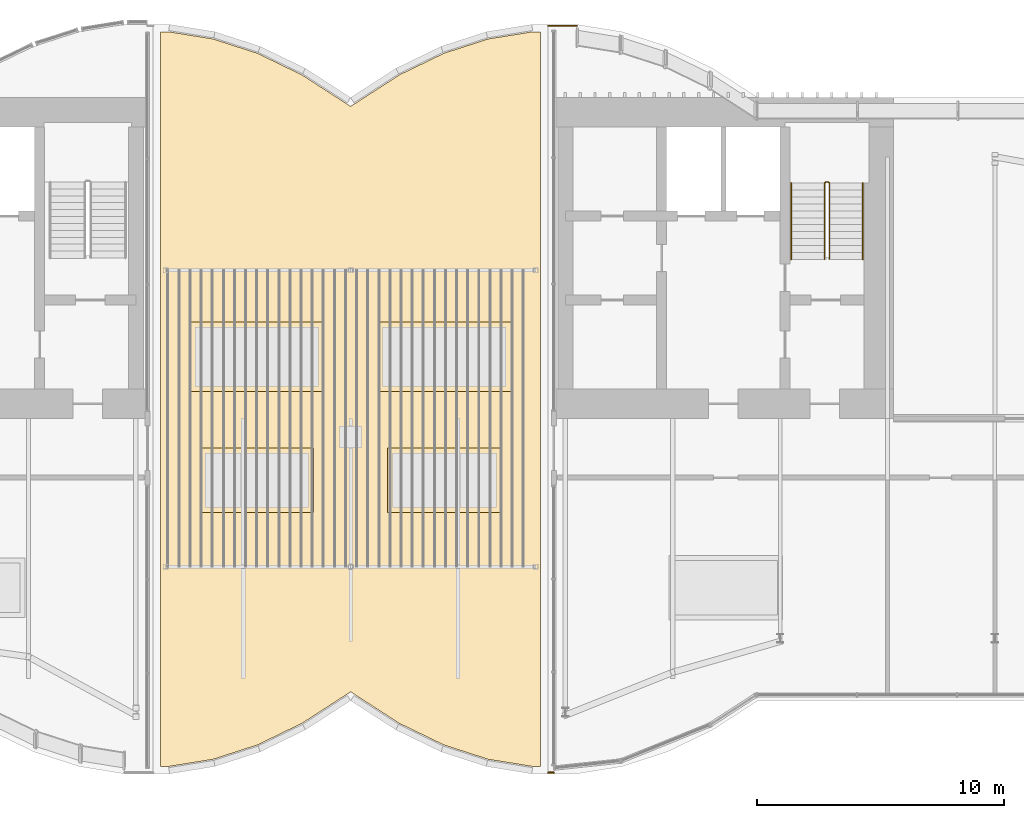
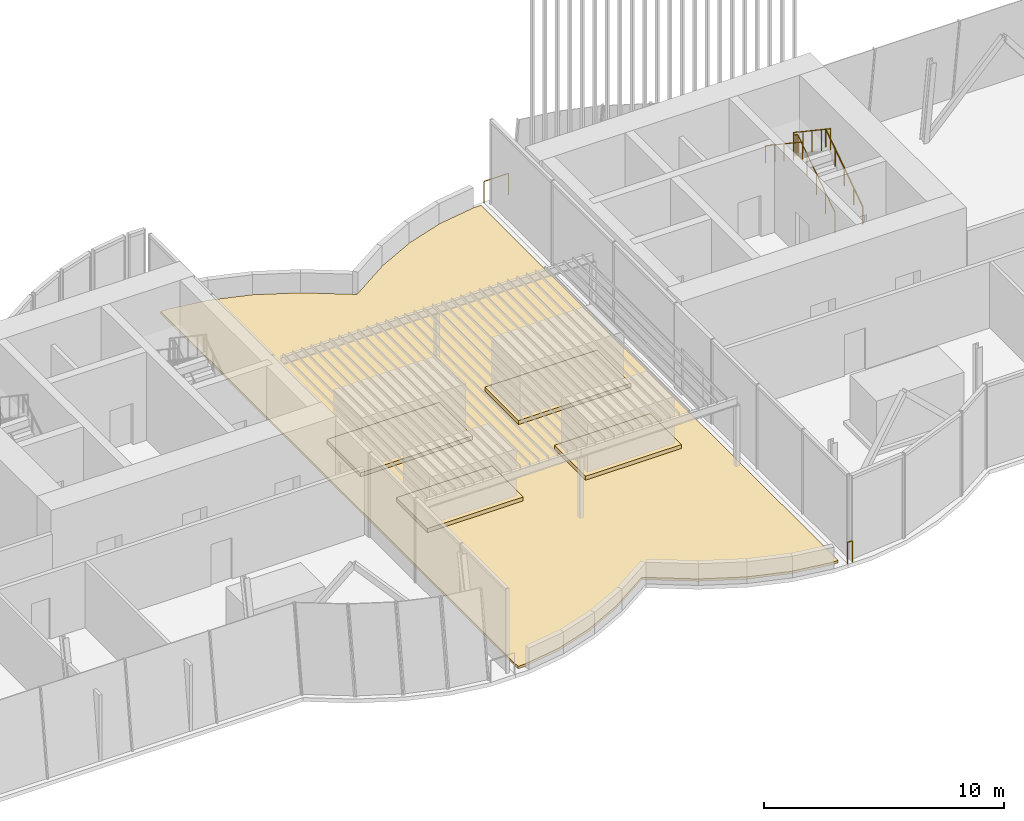
# One storey, part 16 of 18: 5 coverings, 5 railings.
"""IFC4 building model written with IfcOpenShell, lengths in metres."""

from ifc_helpers import new_model, si_unit, direction, frame, origin, origin_2d, place, context, subcontext, project, spatial, polyline, rectangle, circle, outline, extrude, material, layer, layer_set, type_object, element, save


model = new_model("IFC4")

# Units and contexts
model_context = context("Model", 3, precision=1e-05, world=origin(), true_north=direction((0.0, 1.0)))
body_context = subcontext(model_context, "Body", "Model", "MODEL_VIEW")
ifc_project = project(units=[si_unit("LENGTHUNIT", "METRE"), si_unit("AREAUNIT", "SQUARE_METRE"), si_unit("VOLUMEUNIT", "CUBIC_METRE"), si_unit("PLANEANGLEUNIT", "RADIAN"), si_unit("MASSUNIT", "GRAM", prefix="KILO")], contexts=[model_context])

# Site, building, storey
site_placement = place(None, origin())
site = spatial("IfcSite", under=ifc_project, at=site_placement, CompositionType="ELEMENT")
building_placement = place(site_placement, origin())
building = spatial("IfcBuilding", under=site, at=building_placement, Name="Bicima Exchange Tower", CompositionType="ELEMENT")
storey_placement = place(building_placement, frame((0.0, 0.0, 347.89990234375)))
storey = spatial("IfcBuildingStorey", under=building, at=storey_placement, Name="L78", CompositionType="ELEMENT", Elevation=347.89990234375)

# Railings
ifc_material_1 = material(Name="Stainless steel and bonded safety glass", Category="steel")
railing_type_1 = type_object("IfcRailingType", Name="Edge guard 1100", PredefinedType="GUARDRAIL", material=ifc_material_1)
railing_1_placement = place(storey_placement, frame((8.23291015625, -27.344970703125, 0.0)))
element("IfcRailing", 1, at=railing_1_placement, inside=storey, type_object=railing_type_1, Name="Edge guard L78 411", PredefinedType="GUARDRAIL", context=body_context, shape_type="SweptSolid", body=[
    extrude(circle(Radius=0.02392578125, at=origin_2d()), frame((0.0, 0.0, 1.076171875), z_axis=(-1.0, 0.0, 0.0), x_axis=(0.0, -1.0, 0.0)), (0.0, 0.0, 1.0), 0.23291015625),
    extrude(circle(Radius=0.02099609375, at=origin_2d()), origin(), (0.0, 0.0, 1.0), 1.052001953125),
    extrude(circle(Radius=0.02099609375, at=origin_2d()), frame((-0.23291015625, 0.0, 0.0)), (0.0, 0.0, 1.0), 1.052001953125),
])
railing_2_placement = place(storey_placement, frame((8.0, 2.9130859375, 0.0)))
element("IfcRailing", 2, at=railing_2_placement, inside=storey, type_object=railing_type_1, Name="Edge guard L78 412", PredefinedType="GUARDRAIL", context=body_context, shape_type="SweptSolid", body=[
    extrude(circle(Radius=0.02392578125, at=origin_2d()), frame((0.0, 0.0, 1.076171875), z_axis=(1.0, 0.0, 0.0), x_axis=(0.0, 1.0, 0.0)), (0.0, 0.0, 1.0), 1.1669921875),
    extrude(circle(Radius=0.02099609375, at=origin_2d()), origin(), (0.0, 0.0, 1.0), 1.052001953125),
    extrude(circle(Radius=0.02099609375, at=origin_2d()), frame((1.1669921875, 0.0, 0.0)), (0.0, 0.0, 1.0), 1.052001953125),
])

# Coverings
ifc_material_2 = material(Name="Concrete C40/50", Category="concrete")
ifc_layer_1 = layer(ifc_material_2, 0.2)
ifc_layer_set_1 = layer_set([ifc_layer_1], Name="Concrete C40/50")
covering_type_1 = type_object("IfcCoveringType", Name="Plant plinth cover 200", PredefinedType="USERDEFINED", material=ifc_layer_set_1)
for number, where, z_axis, x_axis, name in (
    (3, (-3.800048828125, -10.5, 0.1201171875), (0.0, 0.0, 1.0), (1.0, 0.0, 0.0), "Plant plinth Chiller"),
    (4, (3.800048828125, -10.5, 0.1201171875), (0.0, 0.0, 1.0), (1.0, 0.0, 0.0), "Plant plinth Chiller"),
):
    element("IfcCovering", number, at=place(storey_placement, frame(where, z_axis=z_axis, x_axis=x_axis)), inside=storey, type_object=covering_type_1, Name=name, ObjectType="PLINTH", PredefinedType="USERDEFINED", context=body_context, shape_type="SweptSolid", body=[
        extrude(rectangle(XDim=5.39990234375, YDim=2.800048828125, at=origin_2d()), origin(), (0.0, 0.0, 1.0), 0.199951171875),
    ])
for number, where, z_axis, x_axis, name in (
    (5, (-3.800048828125, -15.5, 0.1201171875), (0.0, 0.0, 1.0), (1.0, 0.0, 0.0), "Plant plinth Air handling unit"),
    (6, (3.800048828125, -15.5, 0.1201171875), (0.0, 0.0, 1.0), (1.0, 0.0, 0.0), "Plant plinth Air handling unit"),
):
    element("IfcCovering", number, at=place(storey_placement, frame(where, z_axis=z_axis, x_axis=x_axis)), inside=storey, type_object=covering_type_1, Name=name, ObjectType="PLINTH", PredefinedType="USERDEFINED", context=body_context, shape_type="SweptSolid", body=[
        extrude(rectangle(XDim=4.60009765625, YDim=2.60009765625, at=origin_2d()), origin(), (0.0, 0.0, 1.0), 0.199951171875),
    ])
ifc_material_3 = material(Name="Bitumen roofing membrane and insulation")
ifc_layer_2 = layer(ifc_material_3, 0.1201171875)
ifc_layer_set_2 = layer_set([ifc_layer_2], Name="Bitumen roofing membrane and insulation")
covering_type_2 = type_object("IfcCoveringType", Name="Slot roofing build-up 120", PredefinedType="ROOFING", material=ifc_layer_set_2)
covering_placement = place(storey_placement, origin())
element("IfcCovering", 7, at=covering_placement, inside=storey, type_object=covering_type_2, Name="Slot roofing", PredefinedType="ROOFING", context=body_context, shape_type="SweptSolid", body=[
    extrude(outline(polyline([(7.357421875, -27.094970703125), (5.570556640625, -26.80615234375), (3.77880859375, -26.22705078125), (1.980712890625, -25.355224609375), (0.0, -24.07470703125), (-1.980712890625, -25.355224609375), (-3.77880859375, -26.22705078125), (-5.570556640625, -26.80615234375), (-7.357421875, -27.094970703125), (-7.699951171875, -27.094970703125), (-7.699951171875, 2.6630859375), (-7.357421875, 2.6630859375), (-5.570556640625, 2.374267578125), (-3.77880859375, 1.795166015625), (-1.980712890625, 0.92333984375), (0.0, -0.357177734375), (1.980712890625, 0.92333984375), (3.77880859375, 1.795166015625), (5.570556640625, 2.374267578125), (7.357421875, 2.6630859375), (7.699951171875, 2.6630859375), (7.699951171875, -27.094970703125), (7.357421875, -27.094970703125)])), origin(), (0.0, 0.0, 1.0), 0.1201171875),
])

# Railings
ifc_material_4 = material(Name="Stainless steel", Category="steel")
railing_type_2 = type_object("IfcRailingType", Name="Stair guard 1100", PredefinedType="GUARDRAIL", material=ifc_material_4)
railing_3_placement = place(storey_placement, frame((19.39990234375, -6.550048828125, 0.1875)))
element("IfcRailing", 8, at=railing_3_placement, inside=storey, type_object=railing_type_2, Name="L78 ST-E stair guard 1", PredefinedType="GUARDRAIL", context=body_context, shape_type="SweptSolid", body=[
    extrude(circle(Radius=0.02392578125, at=origin_2d()), frame((0.0, 0.0, 1.076171875), z_axis=(0.0, 0.830913701846, 0.55640131208), x_axis=(-1.0, 0.0, 0.0)), (0.0, 0.0, 1.0), 3.706787109375),
    extrude(circle(Radius=0.02392578125, at=origin_2d()), frame((0.0, 3.080078125, 3.138671875), z_axis=(-0.705375805398, 0.708833529934, 0.0), x_axis=(-0.708833529934, -0.705375805398, 0.0)), (0.0, 0.0, 1.0), 0.070556640625),
    extrude(circle(Radius=0.02392578125, at=origin_2d()), frame((-0.0498046875, 3.130126953125, 3.138671875), z_axis=(-1.0, 0.0, 0.0), x_axis=(0.0, -1.0, 0.0)), (0.0, 0.0, 1.0), 0.10009765625),
    extrude(circle(Radius=0.02392578125, at=origin_2d()), frame((-0.14990234375, 3.130126953125, 3.138671875), z_axis=(-0.249726431254, -0.249726431254, 0.935560483917), x_axis=(0.707106781187, -0.707106781187, 0.0)), (0.0, 0.0, 1.0), 0.200439453125),
    extrude(circle(Radius=0.02392578125, at=origin_2d()), frame((-0.199951171875, 3.080078125, 3.326171875), z_axis=(0.0, -0.830913701846, 0.55640131208), x_axis=(1.0, 0.0, 0.0)), (0.0, 0.0, 1.0), 3.706787109375),
    extrude(circle(Radius=0.02099609375, at=origin_2d()), origin(), (0.0, 0.0, 1.0), 1.052001953125),
    extrude(circle(Radius=0.02099609375, at=origin_2d()), frame((0.0, 0.77001953125, 0.515625)), (0.0, 0.0, 1.0), 1.052001953125),
    extrude(circle(Radius=0.02099609375, at=origin_2d()), frame((0.0, 1.5400390625, 1.03125)), (0.0, 0.0, 1.0), 1.052001953125),
    extrude(circle(Radius=0.02099609375, at=origin_2d()), frame((0.0, 2.31005859375, 1.546875)), (0.0, 0.0, 1.0), 1.052001953125),
    extrude(circle(Radius=0.02099609375, at=origin_2d()), frame((0.0, 3.080078125, 2.0625)), (0.0, 0.0, 1.0), 1.052001953125),
    extrude(circle(Radius=0.02099609375, at=origin_2d()), frame((-0.0498046875, 3.130126953125, 2.0625)), (0.0, 0.0, 1.0), 1.052001953125),
    extrude(circle(Radius=0.02099609375, at=origin_2d()), frame((-0.14990234375, 3.130126953125, 2.0625)), (0.0, 0.0, 1.0), 1.052001953125),
    extrude(circle(Radius=0.02099609375, at=origin_2d()), frame((-0.199951171875, 3.080078125, 2.25)), (0.0, 0.0, 1.0), 1.052001953125),
    extrude(circle(Radius=0.02099609375, at=origin_2d()), frame((-0.199951171875, 2.31005859375, 2.765625)), (0.0, 0.0, 1.0), 1.052001953125),
    extrude(circle(Radius=0.02099609375, at=origin_2d()), frame((-0.199951171875, 1.5400390625, 3.28125)), (0.0, 0.0, 1.0), 1.052001953125),
    extrude(circle(Radius=0.02099609375, at=origin_2d()), frame((-0.199951171875, 0.77001953125, 3.796875)), (0.0, 0.0, 1.0), 1.052001953125),
    extrude(circle(Radius=0.02099609375, at=origin_2d()), frame((-0.199951171875, 0.0, 4.3125)), (0.0, 0.0, 1.0), 1.052001953125),
])
railing_type_3 = type_object("IfcRailingType", Name="Stair handrail 900", PredefinedType="HANDRAIL", material=ifc_material_4)
railing_4_placement = place(storey_placement, frame((20.75, -6.550048828125, 0.1875)))
element("IfcRailing", 9, at=railing_4_placement, inside=storey, type_object=railing_type_3, Name="L78 ST-E stair handrail 1", PredefinedType="HANDRAIL", context=body_context, shape_type="SweptSolid", body=[
    extrude(circle(Radius=0.02392578125, at=origin_2d()), frame((0.0, 0.0, 0.8759765625), z_axis=(0.0, 0.830913701846, 0.55640131208), x_axis=(-1.0, 0.0, 0.0)), (0.0, 0.0, 1.0), 3.706787109375),
    extrude(circle(Radius=0.02099609375, at=origin_2d()), origin(), (0.0, 0.0, 1.0), 0.851806640625),
    extrude(circle(Radius=0.02099609375, at=origin_2d()), frame((0.0, 0.77001953125, 0.515625)), (0.0, 0.0, 1.0), 0.851806640625),
    extrude(circle(Radius=0.02099609375, at=origin_2d()), frame((0.0, 1.5400390625, 1.03125)), (0.0, 0.0, 1.0), 0.851806640625),
    extrude(circle(Radius=0.02099609375, at=origin_2d()), frame((0.0, 2.31005859375, 1.546875)), (0.0, 0.0, 1.0), 0.851806640625),
    extrude(circle(Radius=0.02099609375, at=origin_2d()), frame((0.0, 3.080078125, 2.0625)), (0.0, 0.0, 1.0), 0.851806640625),
])
railing_5_placement = place(storey_placement, frame((17.85009765625, -3.469970703125, 2.4375)))
element("IfcRailing", 10, at=railing_5_placement, inside=storey, type_object=railing_type_3, Name="L78 ST-E stair handrail 2", PredefinedType="HANDRAIL", context=body_context, shape_type="SweptSolid", body=[
    extrude(circle(Radius=0.02392578125, at=origin_2d()), frame((0.0, 0.0, 0.8759765625), z_axis=(0.0, -0.830913701846, 0.55640131208), x_axis=(1.0, 0.0, 0.0)), (0.0, 0.0, 1.0), 3.706787109375),
    extrude(circle(Radius=0.02099609375, at=origin_2d()), origin(), (0.0, 0.0, 1.0), 0.851806640625),
    extrude(circle(Radius=0.02099609375, at=origin_2d()), frame((0.0, -0.77001953125, 0.515625)), (0.0, 0.0, 1.0), 0.851806640625),
    extrude(circle(Radius=0.02099609375, at=origin_2d()), frame((0.0, -1.5400390625, 1.03125)), (0.0, 0.0, 1.0), 0.851806640625),
    extrude(circle(Radius=0.02099609375, at=origin_2d()), frame((0.0, -2.31005859375, 1.546875)), (0.0, 0.0, 1.0), 0.851806640625),
    extrude(circle(Radius=0.02099609375, at=origin_2d()), frame((0.0, -3.080078125, 2.0625)), (0.0, 0.0, 1.0), 0.851806640625),
])

save(model, "model.ifc")
